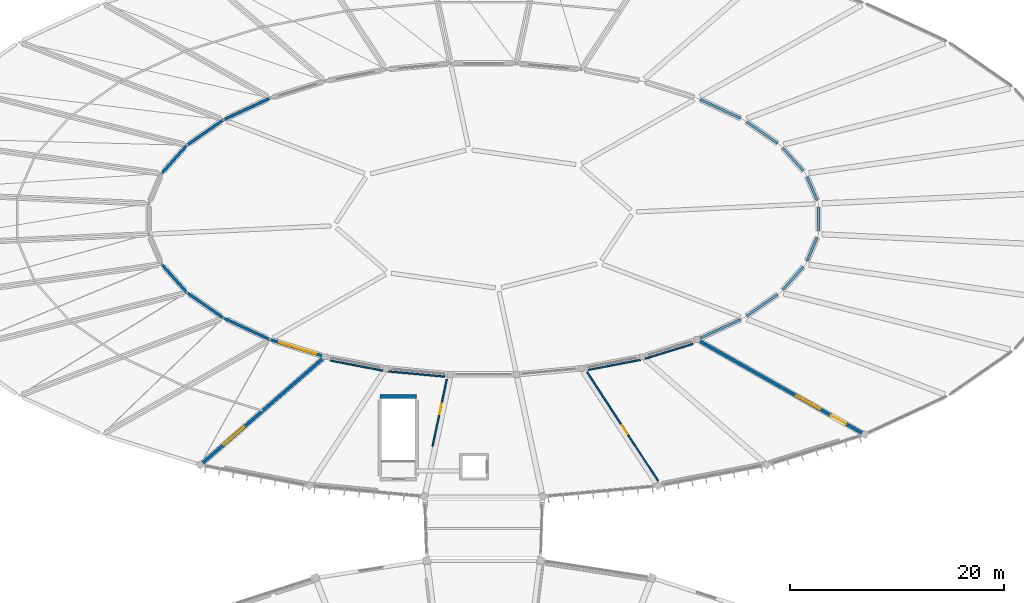
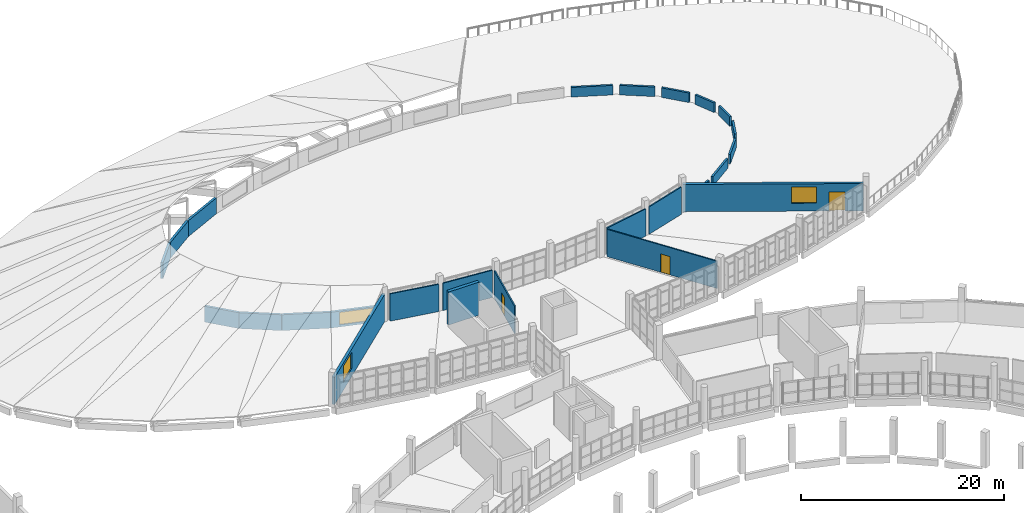
# One storey, part 101 of 142: 25 walls, 3 doors, 3 windows, 6 openings.
"""IFC4 building model written with IfcOpenShell, lengths in metres."""

from ifc_helpers import new_model, si_unit, direction, frame, frame_2d, origin, place, context, subcontext, project, spatial, rectangle, extrude, material, layer, layer_set, type_object, element, fill, save


model = new_model("IFC4")

# Units and contexts
model_context = context("Model", 3, precision=1e-05, world=origin(), true_north=direction((0.0, 1.0)))
body_context = subcontext(model_context, "Body", "Model", "MODEL_VIEW")
ifc_project = project(units=[si_unit("LENGTHUNIT", "METRE"), si_unit("AREAUNIT", "SQUARE_METRE"), si_unit("VOLUMEUNIT", "CUBIC_METRE"), si_unit("PLANEANGLEUNIT", "RADIAN"), si_unit("MASSUNIT", "GRAM", prefix="KILO")], contexts=[model_context])

# Site, building, storey
site_placement = place(None, origin())
site = spatial("IfcSite", under=ifc_project, at=site_placement, CompositionType="ELEMENT")
building_placement = place(site_placement, origin())
building = spatial("IfcBuilding", under=site, at=building_placement, Name="Corvandel Quay Wholesale Market", CompositionType="ELEMENT")
storey_placement = place(building_placement, frame((0.0, 0.0, 10.800048828125)))
storey = spatial("IfcBuildingStorey", under=building, at=storey_placement, Name="L02", CompositionType="ELEMENT", Elevation=10.800048828125)

# Wall
ifc_material_1 = material(Name="Concrete C40/50", Category="concrete")
ifc_layer_1 = layer(ifc_material_1, 0.35009765625)
ifc_layer_set_1 = layer_set([ifc_layer_1], Name="Concrete C40/50")
wall_type_1 = type_object("IfcWallType", Name="Core Shear Wall SW01 350", PredefinedType="SHEAR", material=ifc_layer_set_1)
wall_1_placement = place(storey_placement, frame((104.27490234375, 99.375, 0.0), z_axis=(0.0, 0.0, 1.0), x_axis=(1.0, 0.0, 0.0)))
element("IfcWall", 1, at=wall_1_placement, inside=storey, type_object=wall_type_1, Name="Shear Wall IW-0058", PredefinedType="SHEAR", context=body_context, shape_type="SweptSolid", body=[
    extrude(rectangle(XDim=3.4501953125, YDim=0.35009765625, at=frame_2d((1.72509765625, 0.0))), origin(), (0.0, 0.0, 1.0), 3.97998046875),
])

# Wall, opening, window
ifc_material_2 = material(Name="Marine precast concrete C45/55", Category="concrete")
ifc_layer_2 = layer(ifc_material_2, 0.31005859375)
ifc_layer_set_2 = layer_set([ifc_layer_2], Name="Marine precast concrete C45/55")
wall_type_2 = type_object("IfcWallType", Name="Fish Hall Marine Precast Wall EW06 310", PredefinedType="SOLIDWALL", material=ifc_layer_set_2)
wall_2_placement = place(storey_placement, frame((87.6552734375, 93.116455078125, 0.0), z_axis=(0.0, 0.0, 1.0), x_axis=(0.754950770095, 0.655781468732, 0.0)))
wall_2 = element("IfcWall", 2, at=wall_2_placement, inside=storey, type_object=wall_type_2, Name="Exterior Wall EW-0156", PredefinedType="SOLIDWALL", context=body_context, shape_type="SweptSolid", body=[
    extrude(rectangle(XDim=15.21923828125, YDim=0.31005859375, at=frame_2d((7.609619140625, 0.0))), origin(), (0.0, 0.0, 1.0), 3.280029296875),
])
opening_1_placement = place(wall_2_placement, frame((2.64990234375, 0.0, 0.949951171875)))
opening_1 = element("IfcOpeningElement", 3, at=opening_1_placement, cuts=wall_2, Name="Opening L02-W024", PredefinedType="OPENING", context=body_context, shape_type="SweptSolid", body=[
    extrude(rectangle(XDim=2.5, YDim=1.949951171875, at=frame_2d((1.25, 0.97509765625))), frame((0.0, 0.1650390625, 0.0), z_axis=(0.0, -1.0, 0.0), x_axis=(1.0, 0.0, 0.0)), (0.0, 0.0, 1.0), 0.330078125),
])
ifc_material_3 = material(Name="Thermally broken bronze anodised aluminium and solar-control low-E double glazing", Category="aluminium")
window_type_1 = type_object("IfcWindowType", Name="Roof Pavilion Window WN10 2500x1950", PartitioningType="SINGLE_PANEL", PredefinedType="WINDOW", material=ifc_material_3)
window_1_placement = place(opening_1_placement, origin())
window_1 = element("IfcWindow", 4, at=window_1_placement, inside=storey, type_object=window_type_1, Name="Window L02-W024", OverallHeight=1.949951171875, OverallWidth=2.5, PartitioningType="SINGLE_PANEL", PredefinedType="WINDOW", context=body_context, shape_type="SweptSolid", body=[
    extrude(rectangle(XDim=2.5, YDim=1.949951171875, at=frame_2d((1.25, 0.97509765625))), frame((0.0, 0.030029296875, 0.0), z_axis=(0.0, -1.0, 0.0), x_axis=(1.0, 0.0, 0.0)), (0.0, 0.0, 1.0), 0.06005859375),
])
fill(opening_1, window_1)

# Wall, openings, window, door
wall_3_placement = place(storey_placement, frame((149.489013671875, 95.922119140625, 0.0), z_axis=(0.0, 0.0, 1.0), x_axis=(-0.870345447567, 0.492441673602, 0.0)))
wall_3 = element("IfcWall", 5, at=wall_3_placement, inside=storey, type_object=wall_type_2, Name="Exterior Wall EW-0157", PredefinedType="SOLIDWALL", context=body_context, shape_type="SweptSolid", body=[
    extrude(rectangle(XDim=17.806884765625, YDim=0.31005859375, at=frame_2d((8.9033203125, 0.0))), origin(), (0.0, 0.0, 1.0), 3.280029296875),
])
opening_2_placement = place(wall_3_placement, frame((1.800048828125, 0.0, 0.0)))
opening_2 = element("IfcOpeningElement", 6, at=opening_2_placement, cuts=wall_3, Name="Opening L02-D003", PredefinedType="OPENING", context=body_context, shape_type="SweptSolid", body=[
    extrude(rectangle(XDim=1.60009765625, YDim=2.300048828125, at=frame_2d((0.800048828125, 1.14990234375))), frame((0.0, 0.1650390625, 0.0), z_axis=(0.0, -1.0, 0.0), x_axis=(1.0, 0.0, 0.0)), (0.0, 0.0, 1.0), 0.330078125),
])
opening_3_placement = place(wall_3_placement, frame((4.60009765625, 0.0, 0.949951171875)))
opening_3 = element("IfcOpeningElement", 7, at=opening_3_placement, cuts=wall_3, Name="Opening L02-W025", PredefinedType="OPENING", context=body_context, shape_type="SweptSolid", body=[
    extrude(rectangle(XDim=2.5, YDim=1.949951171875, at=frame_2d((1.25, 0.97509765625))), frame((0.0, 0.1650390625, 0.0), z_axis=(0.0, -1.0, 0.0), x_axis=(1.0, 0.0, 0.0)), (0.0, 0.0, 1.0), 0.330078125),
])
window_2_placement = place(opening_3_placement, origin())
window_2 = element("IfcWindow", 8, at=window_2_placement, inside=storey, type_object=window_type_1, Name="Window L02-W025", OverallHeight=1.949951171875, OverallWidth=2.5, PartitioningType="SINGLE_PANEL", PredefinedType="WINDOW", context=body_context, shape_type="SweptSolid", body=[
    extrude(rectangle(XDim=2.5, YDim=1.949951171875, at=frame_2d((1.25, 0.97509765625))), frame((0.0, 0.030029296875, 0.0), z_axis=(0.0, -1.0, 0.0), x_axis=(1.0, 0.0, 0.0)), (0.0, 0.0, 1.0), 0.06005859375),
])
fill(opening_3, window_2)
ifc_material_4 = material(Name="Bronze anodised aluminium and low-E glass", Category="aluminium")
door_type_1 = type_object("IfcDoorType", Name="Terrace Garden Access Door ED04 1600x2300", OperationType="DOUBLE_DOOR_SINGLE_SWING", PredefinedType="DOOR", material=ifc_material_4)
door_1_placement = place(opening_2_placement, origin())
door_1 = element("IfcDoor", 9, at=door_1_placement, inside=storey, type_object=door_type_1, Name="Roof Garden Door V2-27", OperationType="DOUBLE_DOOR_SINGLE_SWING", OverallHeight=2.300048828125, OverallWidth=1.60009765625, PredefinedType="DOOR", context=body_context, shape_type="SweptSolid", body=[
    extrude(rectangle(XDim=1.60009765625, YDim=2.300048828125, at=frame_2d((0.800048828125, 1.14990234375))), frame((0.0, 0.02490234375, 0.0), z_axis=(0.0, -1.0, 0.0), x_axis=(1.0, 0.0, 0.0)), (0.0, 0.0, 1.0), 0.050048828125),
])
fill(opening_2, door_1)

# Walls
ifc_material_5 = material(Name="Double-layer acoustic gypsum stud partition")
ifc_layer_3 = layer(ifc_material_5, 0.139892578125)
ifc_layer_set_3 = layer_set([ifc_layer_3], Name="Double-layer acoustic gypsum stud partition")
wall_type_3 = type_object("IfcWallType", Name="Office Acoustic Partition PT07 140", PredefinedType="PARTITIONING", material=ifc_layer_set_3)
wall_4_placement = place(storey_placement, frame((99.636962890625, 102.73779296875, 0.0), z_axis=(0.0, 0.0, 1.0), x_axis=(0.982044939825, -0.188647120743, 0.0)))
element("IfcWall", 10, at=wall_4_placement, inside=storey, type_object=wall_type_3, Name="Interior Wall IW-0666", PredefinedType="PARTITIONING", context=body_context, shape_type="SweptSolid", body=[
    extrude(rectangle(XDim=5.06396484375, YDim=0.139892578125, at=frame_2d((2.531982421875, 0.0))), origin(), (0.0, 0.0, 1.0), 3.280029296875),
])
wall_5_placement = place(storey_placement, frame((105.045166015625, 101.720703125, 0.0), z_axis=(0.0, 0.0, 1.0), x_axis=(0.995762119304, -0.091966307736, 0.0)))
element("IfcWall", 11, at=wall_5_placement, inside=storey, type_object=wall_type_3, Name="Interior Wall IW-0667", PredefinedType="PARTITIONING", context=body_context, shape_type="SweptSolid", body=[
    extrude(rectangle(XDim=5.3544921875, YDim=0.139892578125, at=frame_2d((2.67724609375, 0.0))), origin(), (0.0, 0.0, 1.0), 3.280029296875),
])

# Wall, opening, door
wall_6_placement = place(storey_placement, frame((110.55029296875, 100.992919921875, 0.0), z_axis=(0.0, 0.0, 1.0), x_axis=(-0.207481008099, -0.978239046081, 0.0)))
wall_6 = element("IfcWall", 12, at=wall_6_placement, inside=storey, type_object=wall_type_3, Name="Interior Wall IW-0668", PredefinedType="PARTITIONING", context=body_context, shape_type="SweptSolid", body=[
    extrude(rectangle(XDim=6.408203125, YDim=0.139892578125, at=frame_2d((3.2041015625, 0.0))), origin(), (0.0, 0.0, 1.0), 3.280029296875),
])
opening_4_placement = place(wall_6_placement, frame((2.35400390625, 0.0, 0.0)))
opening_4 = element("IfcOpeningElement", 13, at=opening_4_placement, cuts=wall_6, Name="Opening L02-D037", PredefinedType="OPENING", context=body_context, shape_type="SweptSolid", body=[
    extrude(rectangle(XDim=1.0, YDim=2.199951171875, at=frame_2d((0.5, 1.10009765625))), frame((0.0, 0.079833984375, 0.0), z_axis=(0.0, -1.0, 0.0), x_axis=(1.0, 0.0, 0.0)), (0.0, 0.0, 1.0), 0.159912109375),
])
ifc_material_6 = material(Name="Stained oak solid-core acoustic timber", Category="wood")
door_type_2 = type_object("IfcDoorType", Name="Office Entry Door ID09 1000x2200L", OperationType="SINGLE_SWING_LEFT", PredefinedType="DOOR", material=ifc_material_6)
door_2_placement = place(opening_4_placement, origin())
door_2 = element("IfcDoor", 14, at=door_2_placement, inside=storey, type_object=door_type_2, Name="Seafood Tasting Pavilion West Door", OperationType="SINGLE_SWING_LEFT", OverallHeight=2.199951171875, OverallWidth=1.0, PredefinedType="DOOR", context=body_context, shape_type="SweptSolid", body=[
    extrude(rectangle(XDim=1.0, YDim=2.199951171875, at=frame_2d((0.5, 1.10009765625))), frame((0.0, 0.02490234375, 0.0), z_axis=(0.0, -1.0, 0.0), x_axis=(1.0, 0.0, 0.0)), (0.0, 0.0, 1.0), 0.050048828125),
])
fill(opening_4, door_2)

# Walls
wall_7_placement = place(storey_placement, frame((123.79296875, 101.859619140625, 0.0), z_axis=(0.0, 0.0, 1.0), x_axis=(0.982043437717, 0.188654940134, 0.0)))
element("IfcWall", 15, at=wall_7_placement, inside=storey, type_object=wall_type_3, Name="Interior Wall IW-0669", PredefinedType="PARTITIONING", context=body_context, shape_type="SweptSolid", body=[
    extrude(rectangle(XDim=4.987548828125, YDim=0.139892578125, at=frame_2d((2.49365234375, 0.0))), origin(), (0.0, 0.0, 1.0), 3.280029296875),
])
wall_8_placement = place(storey_placement, frame((129.1171875, 102.9072265625, 0.0), z_axis=(0.0, 0.0, 1.0), x_axis=(0.955144950047, 0.296138691155, 0.0)))
element("IfcWall", 16, at=wall_8_placement, inside=storey, type_object=wall_type_3, Name="Interior Wall IW-0670", PredefinedType="PARTITIONING", context=body_context, shape_type="SweptSolid", body=[
    extrude(rectangle(XDim=4.686767578125, YDim=0.139892578125, at=frame_2d((2.34326171875, 0.0))), origin(), (0.0, 0.0, 1.0), 3.280029296875),
])

# Wall, opening, door
wall_9_placement = place(storey_placement, frame((130.336669921875, 91.47119140625, 0.0), z_axis=(0.0, 0.0, 1.0), x_axis=(-0.546939375065, 0.837172216454, 0.0)))
wall_9 = element("IfcWall", 17, at=wall_9_placement, inside=storey, type_object=wall_type_3, Name="Interior Wall IW-0673", PredefinedType="PARTITIONING", context=body_context, shape_type="SweptSolid", body=[
    extrude(rectangle(XDim=12.13916015625, YDim=0.139892578125, at=frame_2d((6.069580078125, 0.0))), origin(), (0.0, 0.0, 1.0), 3.280029296875),
])
opening_5_placement = place(wall_9_placement, frame((5.219970703125, 0.0, 0.0)))
opening_5 = element("IfcOpeningElement", 18, at=opening_5_placement, cuts=wall_9, Name="Opening L02-D038", PredefinedType="OPENING", context=body_context, shape_type="SweptSolid", body=[
    extrude(rectangle(XDim=1.0, YDim=2.199951171875, at=frame_2d((0.5, 1.10009765625))), frame((0.0, 0.079833984375, 0.0), z_axis=(0.0, -1.0, 0.0), x_axis=(1.0, 0.0, 0.0)), (0.0, 0.0, 1.0), 0.159912109375),
])
door_type_3 = type_object("IfcDoorType", Name="Office Entry Door ID10 1000x2200R", OperationType="SINGLE_SWING_RIGHT", PredefinedType="DOOR", material=ifc_material_6)
door_3_placement = place(opening_5_placement, origin())
door_3 = element("IfcDoor", 19, at=door_3_placement, inside=storey, type_object=door_type_3, Name="Seafood Tasting and Roof Garden Pavilion Door", OperationType="SINGLE_SWING_RIGHT", OverallHeight=2.199951171875, OverallWidth=1.0, PredefinedType="DOOR", context=body_context, shape_type="SweptSolid", body=[
    extrude(rectangle(XDim=1.0, YDim=2.199951171875, at=frame_2d((0.5, 1.10009765625))), frame((0.0, 0.02490234375, 0.0), z_axis=(0.0, -1.0, 0.0), x_axis=(1.0, 0.0, 0.0)), (0.0, 0.0, 1.0), 0.050048828125),
])
fill(opening_5, door_3)

# Walls
ifc_material_7 = material(Name="Terracotta precast concrete C45/55", Category="masonry")
ifc_layer_4 = layer(ifc_material_7, 0.260009765625)
ifc_layer_set_4 = layer_set([ifc_layer_4], Name="Terracotta precast concrete C45/55")
wall_type_4 = type_object("IfcWallType", Name="Pavilion Pilaster Infill Wall EW08 260", PredefinedType="SOLIDWALL", material=ifc_layer_set_4)
wall_10_placement = place(storey_placement, frame((94.009033203125, 127.30908203125, 0.0), z_axis=(0.0, 0.0, 1.0), x_axis=(-0.906999977402, -0.421130669738, 0.0)))
element("IfcWall", 20, at=wall_10_placement, inside=storey, type_object=wall_type_4, Name="Exterior Wall EW-0114", PredefinedType="SOLIDWALL", context=body_context, shape_type="SweptSolid", body=[
    extrude(rectangle(XDim=4.815673828125, YDim=0.260009765625, at=frame_2d((2.40771484375, 0.0))), origin(), (0.0, 0.0, 1.0), 1.89990234375),
])
wall_11_placement = place(storey_placement, frame((89.64111328125, 125.281005859375, 0.0), z_axis=(0.0, 0.0, 1.0), x_axis=(-0.8213015317, -0.570494341802, 0.0)))
element("IfcWall", 21, at=wall_11_placement, inside=storey, type_object=wall_type_4, Name="Exterior Wall EW-0116", PredefinedType="SOLIDWALL", context=body_context, shape_type="SweptSolid", body=[
    extrude(rectangle(XDim=4.178955078125, YDim=0.260009765625, at=frame_2d((2.08935546875, 0.0))), origin(), (0.0, 0.0, 1.0), 1.89990234375),
])
for number, where, z_axis, x_axis, name in (
    (22, (86.208984375, 122.89697265625, 0.0), (0.0, 0.0, 1.0), (-0.665706946847, -0.74621328112, 0.0), "Exterior Wall EW-0118"),
    (23, (83.844970703125, 111.7529296875, 0.0), (0.0, 0.0, 1.0), (0.665706946847, -0.74621328112, 0.0), "Exterior Wall EW-0127"),
):
    element("IfcWall", number, at=place(storey_placement, frame(where, z_axis=z_axis, x_axis=x_axis)), inside=storey, type_object=wall_type_4, Name=name, PredefinedType="SOLIDWALL", context=body_context, shape_type="SweptSolid", body=[
        extrude(rectangle(XDim=3.551025390625, YDim=0.260009765625, at=frame_2d((1.775390625, 0.0))), origin(), (0.0, 0.0, 1.0), 1.89990234375),
    ])
wall_12_placement = place(storey_placement, frame((86.208984375, 109.10302734375, 0.0), z_axis=(0.0, 0.0, 1.0), x_axis=(0.8213015317, -0.570494341802, 0.0)))
element("IfcWall", 24, at=wall_12_placement, inside=storey, type_object=wall_type_4, Name="Exterior Wall EW-0129", PredefinedType="SOLIDWALL", context=body_context, shape_type="SweptSolid", body=[
    extrude(rectangle(XDim=4.178955078125, YDim=0.260009765625, at=frame_2d((2.08935546875, 0.0))), origin(), (0.0, 0.0, 1.0), 1.89990234375),
])
wall_13_placement = place(storey_placement, frame((89.64111328125, 106.718994140625, 0.0), z_axis=(0.0, 0.0, 1.0), x_axis=(0.906999977402, -0.421130669738, 0.0)))
element("IfcWall", 25, at=wall_13_placement, inside=storey, type_object=wall_type_4, Name="Exterior Wall EW-0131", PredefinedType="SOLIDWALL", context=body_context, shape_type="SweptSolid", body=[
    extrude(rectangle(XDim=4.815673828125, YDim=0.260009765625, at=frame_2d((2.40771484375, 0.0))), origin(), (0.0, 0.0, 1.0), 1.89990234375),
])

# Wall, opening, window
wall_14_placement = place(storey_placement, frame((94.009033203125, 104.69091796875, 0.0), z_axis=(0.0, 0.0, 1.0), x_axis=(0.955060591478, -0.296410638483, 0.0)))
wall_14 = element("IfcWall", 26, at=wall_14_placement, inside=storey, type_object=wall_type_4, Name="Exterior Wall EW-0133", PredefinedType="SOLIDWALL", context=body_context, shape_type="SweptSolid", body=[
    extrude(rectangle(XDim=5.377685546875, YDim=0.260009765625, at=frame_2d((2.68896484375, 0.0))), origin(), (0.0, 0.0, 1.0), 1.89990234375),
])
opening_6_placement = place(wall_14_placement, frame((0.888916015625, 0.0, 0.25)))
opening_6 = element("IfcOpeningElement", 27, at=opening_6_placement, cuts=wall_14, Name="Opening L02-W023", PredefinedType="OPENING", context=body_context, shape_type="SweptSolid", body=[
    extrude(rectangle(XDim=3.60009765625, YDim=1.5, at=frame_2d((1.800048828125, 0.75))), frame((0.0, 0.139892578125, 0.0), z_axis=(0.0, -1.0, 0.0), x_axis=(1.0, 0.0, 0.0)), (0.0, 0.0, 1.0), 0.280029296875),
])
window_type_2 = type_object("IfcWindowType", Name="Sawtooth North-Light Clerestory SK01 3600x1500", PartitioningType="SINGLE_PANEL", PredefinedType="SKYLIGHT", material=ifc_material_3)
window_3_placement = place(opening_6_placement, origin())
window_3 = element("IfcWindow", 28, at=window_3_placement, inside=storey, type_object=window_type_2, Name="Window L02-W023", OverallHeight=1.5, OverallWidth=3.60009765625, PartitioningType="SINGLE_PANEL", PredefinedType="SKYLIGHT", context=body_context, shape_type="SweptSolid", body=[
    extrude(rectangle(XDim=3.60009765625, YDim=1.5, at=frame_2d((1.800048828125, 0.75))), frame((0.0, 0.030029296875, 0.0), z_axis=(0.0, -1.0, 0.0), x_axis=(1.0, 0.0, 0.0)), (0.0, 0.0, 1.0), 0.06005859375),
])
fill(opening_6, window_3)

# Walls
ifc_material_8 = material(Name="Buff-pigmented precast concrete C45/55", Category="concrete")
ifc_layer_5 = layer(ifc_material_8, 0.219970703125)
ifc_layer_set_5 = layer_set([ifc_layer_5], Name="Buff-pigmented precast concrete C45/55")
wall_type_5 = type_object("IfcWallType", Name="Terrace Edge Parapet Wall PP02 220", PredefinedType="PARAPET", material=ifc_layer_set_5)
wall_15_placement = place(storey_placement, frame((145.22216796875, 117.755615234375, 0.0), z_axis=(0.0, 0.0, 1.0), x_axis=(-0.393769493806, 0.919209217614, 0.0)))
element("IfcWall", 29, at=wall_15_placement, inside=storey, type_object=wall_type_5, Name="Exterior Wall EW-0091", PredefinedType="PARAPET", context=body_context, shape_type="SweptSolid", body=[
    extrude(rectangle(XDim=2.3603515625, YDim=0.219970703125, at=frame_2d((1.18017578125, 0.0))), origin(), (0.0, 0.0, 1.0), 1.14990234375),
])
wall_16_placement = place(storey_placement, frame((143.922119140625, 120.50830078125, 0.0), z_axis=(0.0, 0.0, 1.0), x_axis=(-0.665760486099, 0.746165514581, 0.0)))
element("IfcWall", 30, at=wall_16_placement, inside=storey, type_object=wall_type_5, Name="Exterior Wall EW-0093", PredefinedType="PARAPET", context=body_context, shape_type="SweptSolid", body=[
    extrude(rectangle(XDim=2.85107421875, YDim=0.219970703125, at=frame_2d((1.425537109375, 0.0))), origin(), (0.0, 0.0, 1.0), 1.14990234375),
])
wall_17_placement = place(storey_placement, frame((141.50341796875, 123.0966796875, 0.0), z_axis=(0.0, 0.0, 1.0), x_axis=(-0.821284099742, 0.570519436575, 0.0)))
element("IfcWall", 31, at=wall_17_placement, inside=storey, type_object=wall_type_5, Name="Exterior Wall EW-0095", PredefinedType="PARAPET", context=body_context, shape_type="SweptSolid", body=[
    extrude(rectangle(XDim=3.478515625, YDim=0.219970703125, at=frame_2d((1.7392578125, 0.0))), origin(), (0.0, 0.0, 1.0), 1.14990234375),
])
for number, where, z_axis, x_axis, name in (
    (32, (138.04150390625, 125.428466796875, 0.0), (0.0, 0.0, 1.0), (-0.90700734935, 0.421114792219, 0.0), "Exterior Wall EW-0097"),
    (33, (134.30859375, 104.83837890625, 0.0), (0.0, 0.0, 1.0), (0.90700734935, 0.421114792219, 0.0), "Exterior Wall EW-0147"),
):
    element("IfcWall", number, at=place(storey_placement, frame(where, z_axis=z_axis, x_axis=x_axis)), inside=storey, type_object=wall_type_5, Name=name, PredefinedType="PARAPET", context=body_context, shape_type="SweptSolid", body=[
        extrude(rectangle(XDim=4.11572265625, YDim=0.219970703125, at=frame_2d((2.057861328125, 0.0))), origin(), (0.0, 0.0, 1.0), 1.14990234375),
    ])
wall_18_placement = place(storey_placement, frame((138.646484375, 106.918701171875, 0.0), z_axis=(0.0, 0.0, 1.0), x_axis=(0.821284099742, 0.570519436575, 0.0)))
element("IfcWall", 34, at=wall_18_placement, inside=storey, type_object=wall_type_5, Name="Exterior Wall EW-0149", PredefinedType="PARAPET", context=body_context, shape_type="SweptSolid", body=[
    extrude(rectangle(XDim=3.478515625, YDim=0.219970703125, at=frame_2d((1.7392578125, 0.0))), origin(), (0.0, 0.0, 1.0), 1.14990234375),
])
wall_19_placement = place(storey_placement, frame((142.02392578125, 109.3642578125, 0.0), z_axis=(0.0, 0.0, 1.0), x_axis=(0.665760486099, 0.746165514581, 0.0)))
element("IfcWall", 35, at=wall_19_placement, inside=storey, type_object=wall_type_5, Name="Exterior Wall EW-0151", PredefinedType="PARAPET", context=body_context, shape_type="SweptSolid", body=[
    extrude(rectangle(XDim=2.85107421875, YDim=0.219970703125, at=frame_2d((1.425537109375, 0.0))), origin(), (0.0, 0.0, 1.0), 1.14990234375),
])
wall_20_placement = place(storey_placement, frame((144.292724609375, 112.07470703125, 0.0), z_axis=(0.0, 0.0, 1.0), x_axis=(0.393769493806, 0.919209217614, 0.0)))
element("IfcWall", 36, at=wall_20_placement, inside=storey, type_object=wall_type_5, Name="Exterior Wall EW-0153", PredefinedType="PARAPET", context=body_context, shape_type="SweptSolid", body=[
    extrude(rectangle(XDim=2.3603515625, YDim=0.219970703125, at=frame_2d((1.18017578125, 0.0))), origin(), (0.0, 0.0, 1.0), 1.14990234375),
])
wall_21_placement = place(storey_placement, frame((145.360107421875, 114.916015625, 0.0), z_axis=(0.0, 0.0, 1.0), x_axis=(0.0, 1.0, 0.0)))
element("IfcWall", 37, at=wall_21_placement, inside=storey, type_object=wall_type_5, Name="Exterior Wall EW-0155", PredefinedType="PARAPET", context=body_context, shape_type="SweptSolid", body=[
    extrude(rectangle(XDim=2.16796875, YDim=0.219970703125, at=frame_2d((1.083984375, 0.0))), origin(), (0.0, 0.0, 1.0), 1.14990234375),
])

save(model, "model.ifc")
